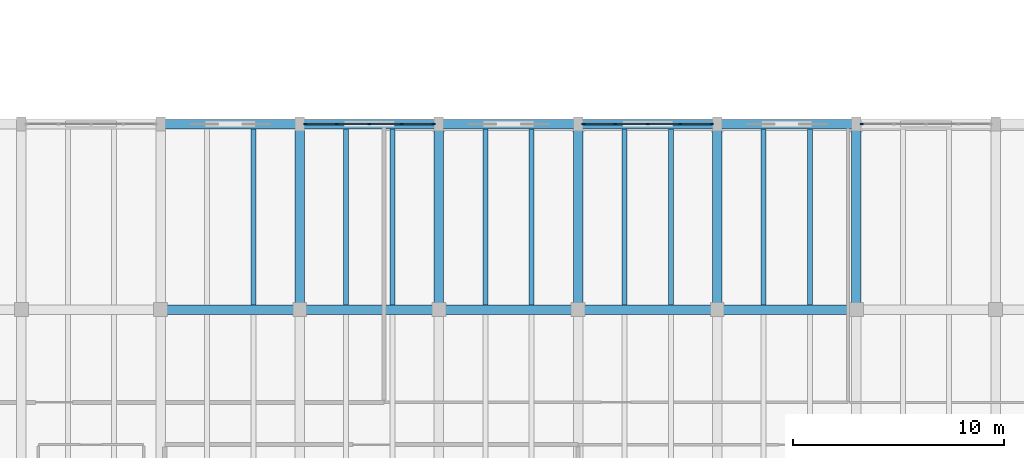
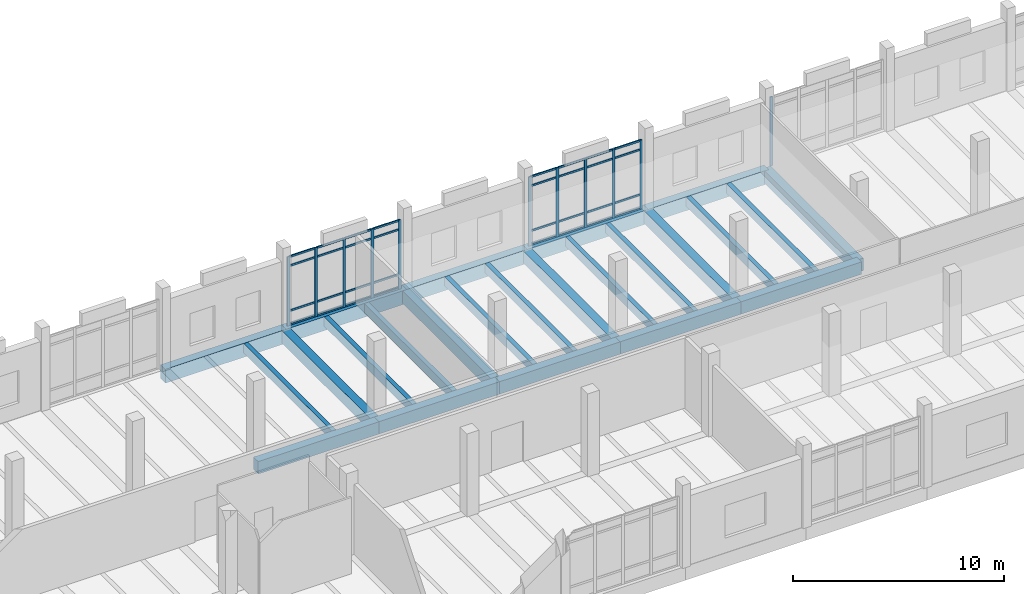
# One storey, part 25 of 76: 43 members, 24 beams, 3 elements without a shape of their own.
"""IFC4 building model written with IfcOpenShell, lengths in metres."""

from ifc_helpers import new_model, si_unit, direction, frame, origin, origin_2d, place, context, subcontext, project, spatial, rectangle, extrude, material, material_profile, profile_set, type_object, element, aggregate, save


model = new_model("IFC4")

# Units and contexts
model_context = context("Model", 3, precision=1e-05, world=origin(), true_north=direction((0.0, 1.0)))
body_context = subcontext(model_context, "Body", "Model", "MODEL_VIEW")
ifc_project = project(units=[si_unit("LENGTHUNIT", "METRE"), si_unit("AREAUNIT", "SQUARE_METRE"), si_unit("VOLUMEUNIT", "CUBIC_METRE"), si_unit("PLANEANGLEUNIT", "RADIAN"), si_unit("MASSUNIT", "GRAM", prefix="KILO")], contexts=[model_context])

# Site, building, storey
site_placement = place(None, origin())
site = spatial("IfcSite", under=ifc_project, at=site_placement, CompositionType="ELEMENT")
building_placement = place(site_placement, origin())
building = spatial("IfcBuilding", under=site, at=building_placement, Name="Dornvale Research Institute", CompositionType="ELEMENT")
storey_placement = place(building_placement, frame((0.0, 0.0, 15.0)))
storey = spatial("IfcBuildingStorey", under=building, at=storey_placement, Name="L03", CompositionType="ELEMENT", Elevation=15.0)

# Beams
ifc_material_1 = material(Name="Concrete f'c 45 MPa (C35/45)", Category="concrete")
ifc_material_profile_1 = material_profile(ifc_material_1, rectangle(XDim=0.449951171875, YDim=0.715087890625, at=origin_2d()), Name="RC 450x715")
ifc_profile_set_1 = profile_set([ifc_material_profile_1], Name="Concrete f'c 45 MPa (C35/45)")
beam_type_1 = type_object("IfcBeamType", Name="Beam_RC450x715_Lab", PredefinedType="BEAM", material=ifc_profile_set_1)
for number, where, z_axis, x_axis, name in (
    (1, (125.39990234375, 17.60009765625, -0.357421875), (1.0, 0.0, 0.0), (0.0, 1.0, 0.0), "L03 primary girder #1007"),
    (2, (132.0, 17.60009765625, -0.357421875), (1.0, 0.0, 0.0), (0.0, 1.0, 0.0), "L03 primary girder #1008"),
):
    element("IfcBeam", number, at=place(storey_placement, frame(where, z_axis=z_axis, x_axis=x_axis)), inside=storey, type_object=beam_type_1, Name=name, PredefinedType="BEAM", context=body_context, shape_type="SweptSolid", body=[
        extrude(rectangle(XDim=0.449951171875, YDim=0.715087890625, at=origin_2d()), origin(), (0.0, 0.0, 1.0), 6.60009765625),
    ])
beam_1_placement = place(storey_placement, frame((138.60009765625, 17.60009765625, -0.357421875), z_axis=(1.0, 0.0, 0.0), x_axis=(0.0, 1.0, 0.0)))
element("IfcBeam", 3, at=beam_1_placement, inside=storey, type_object=beam_type_1, Name="L03 primary girder #1009", PredefinedType="BEAM", context=body_context, shape_type="SweptSolid", body=[
    extrude(rectangle(XDim=0.449951171875, YDim=0.715087890625, at=origin_2d()), origin(), (0.0, 0.0, 1.0), 6.599853515625),
])
beam_2_placement = place(storey_placement, frame((145.199951171875, 17.60009765625, -0.357421875), z_axis=(1.0, 0.0, 0.0), x_axis=(0.0, 1.0, 0.0)))
element("IfcBeam", 4, at=beam_2_placement, inside=storey, type_object=beam_type_1, Name="L03 primary girder #1010", PredefinedType="BEAM", context=body_context, shape_type="SweptSolid", body=[
    extrude(rectangle(XDim=0.449951171875, YDim=0.715087890625, at=origin_2d()), origin(), (0.0, 0.0, 1.0), 6.60009765625),
])
beam_3_placement = place(storey_placement, frame((151.800048828125, 17.60009765625, -0.357421875), z_axis=(1.0, 0.0, 0.0), x_axis=(0.0, 1.0, 0.0)))
element("IfcBeam", 5, at=beam_3_placement, inside=storey, type_object=beam_type_1, Name="L03 primary girder #1011", PredefinedType="BEAM", context=body_context, shape_type="SweptSolid", body=[
    extrude(rectangle(XDim=0.449951171875, YDim=0.715087890625, at=origin_2d()), origin(), (0.0, 0.0, 1.0), 6.599853515625),
])
for number, where, z_axis, x_axis, name in (
    (6, (132.0, 17.60009765625, -0.357421875), (0.0, 1.0, 0.0), (-1.0, 0.0, 0.0), "L03 transverse girder #1043"),
    (7, (138.60009765625, 17.60009765625, -0.357421875), (0.0, 1.0, 0.0), (-1.0, 0.0, 0.0), "L03 transverse girder #1046"),
    (8, (145.199951171875, 17.60009765625, -0.357421875), (0.0, 1.0, 0.0), (-1.0, 0.0, 0.0), "L03 transverse girder #1049"),
    (9, (151.800048828125, 17.60009765625, -0.357421875), (0.0, 1.0, 0.0), (-1.0, 0.0, 0.0), "L03 transverse girder #1052"),
    (10, (158.39990234375, 17.60009765625, -0.357421875), (0.0, 1.0, 0.0), (-1.0, 0.0, 0.0), "L03 transverse girder #1055"),
):
    element("IfcBeam", number, at=place(storey_placement, frame(where, z_axis=z_axis, x_axis=x_axis)), inside=storey, type_object=beam_type_1, Name=name, PredefinedType="BEAM", context=body_context, shape_type="SweptSolid", body=[
        extrude(rectangle(XDim=0.449951171875, YDim=0.715087890625, at=origin_2d()), origin(), (0.0, 0.0, 1.0), 8.7998046875),
    ])
ifc_material_2 = material(Name="Concrete f'c 45 MPa (C35/45)", Category="concrete")
ifc_material_profile_2 = material_profile(ifc_material_2, rectangle(XDim=0.239990234375, YDim=0.534912109375, at=origin_2d()), Name="RC 240x535")
ifc_profile_set_2 = profile_set([ifc_material_profile_2], Name="Concrete f'c 45 MPa (C35/45)")
beam_type_2 = type_object("IfcBeamType", Name="Joist_RC240x535_Waffle", PredefinedType="JOIST", material=ifc_profile_set_2)
for number, where, z_axis, x_axis, name in (
    (11, (129.800048828125, 17.824951171875, -0.267578125), (0.0, 1.0, 0.0), (-1.0, 0.0, 0.0), "L03 laboratory waffle joist #514"),
    (12, (134.199951171875, 17.824951171875, -0.267578125), (0.0, 1.0, 0.0), (-1.0, 0.0, 0.0), "L03 laboratory waffle joist #519"),
    (13, (136.39990234375, 17.824951171875, -0.267578125), (0.0, 1.0, 0.0), (-1.0, 0.0, 0.0), "L03 laboratory waffle joist #520"),
    (14, (140.800048828125, 17.824951171875, -0.267578125), (0.0, 1.0, 0.0), (-1.0, 0.0, 0.0), "L03 laboratory waffle joist #525"),
    (15, (143.0, 17.824951171875, -0.267578125), (0.0, 1.0, 0.0), (-1.0, 0.0, 0.0), "L03 laboratory waffle joist #526"),
    (16, (147.39990234375, 17.824951171875, -0.267578125), (0.0, 1.0, 0.0), (-1.0, 0.0, 0.0), "L03 laboratory waffle joist #531"),
    (17, (149.60009765625, 17.824951171875, -0.267578125), (0.0, 1.0, 0.0), (-1.0, 0.0, 0.0), "L03 laboratory waffle joist #532"),
    (18, (154.0, 17.824951171875, -0.267578125), (0.0, 1.0, 0.0), (-1.0, 0.0, 0.0), "L03 laboratory waffle joist #537"),
    (19, (156.199951171875, 17.824951171875, -0.267578125), (0.0, 1.0, 0.0), (-1.0, 0.0, 0.0), "L03 laboratory waffle joist #538"),
):
    element("IfcBeam", number, at=place(storey_placement, frame(where, z_axis=z_axis, x_axis=x_axis)), inside=storey, type_object=beam_type_2, Name=name, PredefinedType="JOIST", context=body_context, shape_type="SweptSolid", body=[
        extrude(rectangle(XDim=0.239990234375, YDim=0.534912109375, at=origin_2d()), origin(), (0.0, 0.0, 1.0), 8.35009765625),
    ])

# Curtain wall, members
ifc_material_3 = material(Name="Low-E Argon Double Insulating Glazing Unit", Category="glass")
curtain_wall_type = type_object("IfcCurtainWallType", Name="UnitisedCurtainWall_V3_6150x4000", PredefinedType="USERDEFINED", material=ifc_material_3)
curtain_wall_1_placement = place(storey_placement, origin())
curtain_wall_1 = element("IfcCurtainWall", 20, at=curtain_wall_1_placement, inside=storey, type_object=curtain_wall_type, Name="L03 V3 unitised curtain wall CW-06 #56", ObjectType="UNITISED CURTAIN WALL", PredefinedType="USERDEFINED")
ifc_material_4 = material(Name="Anodized Aluminum AA 6063-T6 Thermally Broken Frame", Category="aluminium")
ifc_material_profile_3 = material_profile(ifc_material_4, rectangle(XDim=0.06494140625, YDim=0.14990234375, at=origin_2d()), Name="ALU MULLION 65x150")
ifc_profile_set_3 = profile_set([ifc_material_profile_3], Name="Anodized Aluminum AA 6063-T6 Thermally Broken Frame")
member_type_1 = type_object("IfcMemberType", Name="Mullion_CW_65x150", PredefinedType="MULLION", material=ifc_profile_set_3)
member_1_placement = place(storey_placement, frame((132.257568359375, 26.39990234375, 0.0), z_axis=(0.0, 0.0, 1.0), x_axis=(0.0, 1.0, 0.0)))
member_1 = element("IfcMember", 21, at=member_1_placement, type_object=member_type_1, Name="CW-06 mullion 1", PredefinedType="MULLION", context=body_context, shape_type="SweptSolid", body=[
    extrude(rectangle(XDim=0.06494140625, YDim=0.14990234375, at=origin_2d()), origin(), (0.0, 0.0, 1.0), 4.0),
])
member_2_placement = place(storey_placement, frame((133.762451171875, 26.39990234375, 0.0), z_axis=(0.0, 0.0, 1.0), x_axis=(0.0, 1.0, 0.0)))
member_2 = element("IfcMember", 22, at=member_2_placement, type_object=member_type_1, Name="CW-06 mullion 2", PredefinedType="MULLION", context=body_context, shape_type="SweptSolid", body=[
    extrude(rectangle(XDim=0.06494140625, YDim=0.14990234375, at=origin_2d()), origin(), (0.0, 0.0, 1.0), 4.0),
])
member_3_placement = place(storey_placement, frame((135.300048828125, 26.39990234375, 0.0), z_axis=(0.0, 0.0, 1.0), x_axis=(0.0, 1.0, 0.0)))
member_3 = element("IfcMember", 23, at=member_3_placement, type_object=member_type_1, Name="CW-06 mullion 3", PredefinedType="MULLION", context=body_context, shape_type="SweptSolid", body=[
    extrude(rectangle(XDim=0.06494140625, YDim=0.14990234375, at=origin_2d()), origin(), (0.0, 0.0, 1.0), 4.0),
])
member_4_placement = place(storey_placement, frame((136.83740234375, 26.39990234375, 0.0), z_axis=(0.0, 0.0, 1.0), x_axis=(0.0, 1.0, 0.0)))
member_4 = element("IfcMember", 24, at=member_4_placement, type_object=member_type_1, Name="CW-06 mullion 4", PredefinedType="MULLION", context=body_context, shape_type="SweptSolid", body=[
    extrude(rectangle(XDim=0.06494140625, YDim=0.14990234375, at=origin_2d()), origin(), (0.0, 0.0, 1.0), 4.0),
])
member_5_placement = place(storey_placement, frame((138.342529296875, 26.39990234375, 0.0), z_axis=(0.0, 0.0, 1.0), x_axis=(0.0, 1.0, 0.0)))
member_5 = element("IfcMember", 25, at=member_5_placement, type_object=member_type_1, Name="CW-06 mullion 5", PredefinedType="MULLION", context=body_context, shape_type="SweptSolid", body=[
    extrude(rectangle(XDim=0.06494140625, YDim=0.14990234375, at=origin_2d()), origin(), (0.0, 0.0, 1.0), 4.0),
])

curtain_wall_2_placement = place(storey_placement, origin())
curtain_wall_2 = element("IfcCurtainWall", 26, at=curtain_wall_2_placement, inside=storey, type_object=curtain_wall_type, Name="L03 V3 unitised curtain wall CW-06 #57", ObjectType="UNITISED CURTAIN WALL", PredefinedType="USERDEFINED")
member_6_placement = place(storey_placement, frame((145.45751953125, 26.39990234375, 0.0), z_axis=(0.0, 0.0, 1.0), x_axis=(0.0, 1.0, 0.0)))
member_6 = element("IfcMember", 27, at=member_6_placement, type_object=member_type_1, Name="CW-06 mullion 1", PredefinedType="MULLION", context=body_context, shape_type="SweptSolid", body=[
    extrude(rectangle(XDim=0.06494140625, YDim=0.14990234375, at=origin_2d()), origin(), (0.0, 0.0, 1.0), 4.0),
])
member_7_placement = place(storey_placement, frame((146.96240234375, 26.39990234375, 0.0), z_axis=(0.0, 0.0, 1.0), x_axis=(0.0, 1.0, 0.0)))
member_7 = element("IfcMember", 28, at=member_7_placement, type_object=member_type_1, Name="CW-06 mullion 2", PredefinedType="MULLION", context=body_context, shape_type="SweptSolid", body=[
    extrude(rectangle(XDim=0.06494140625, YDim=0.14990234375, at=origin_2d()), origin(), (0.0, 0.0, 1.0), 4.0),
])
member_8_placement = place(storey_placement, frame((148.5, 26.39990234375, 0.0), z_axis=(0.0, 0.0, 1.0), x_axis=(0.0, 1.0, 0.0)))
member_8 = element("IfcMember", 29, at=member_8_placement, type_object=member_type_1, Name="CW-06 mullion 3", PredefinedType="MULLION", context=body_context, shape_type="SweptSolid", body=[
    extrude(rectangle(XDim=0.06494140625, YDim=0.14990234375, at=origin_2d()), origin(), (0.0, 0.0, 1.0), 4.0),
])
member_9_placement = place(storey_placement, frame((150.03759765625, 26.39990234375, 0.0), z_axis=(0.0, 0.0, 1.0), x_axis=(0.0, 1.0, 0.0)))
member_9 = element("IfcMember", 30, at=member_9_placement, type_object=member_type_1, Name="CW-06 mullion 4", PredefinedType="MULLION", context=body_context, shape_type="SweptSolid", body=[
    extrude(rectangle(XDim=0.06494140625, YDim=0.14990234375, at=origin_2d()), origin(), (0.0, 0.0, 1.0), 4.0),
])
member_10_placement = place(storey_placement, frame((151.54248046875, 26.39990234375, 0.0), z_axis=(0.0, 0.0, 1.0), x_axis=(0.0, 1.0, 0.0)))
member_10 = element("IfcMember", 31, at=member_10_placement, type_object=member_type_1, Name="CW-06 mullion 5", PredefinedType="MULLION", context=body_context, shape_type="SweptSolid", body=[
    extrude(rectangle(XDim=0.06494140625, YDim=0.14990234375, at=origin_2d()), origin(), (0.0, 0.0, 1.0), 4.0),
])

# Curtain wall, member
curtain_wall_3_placement = place(storey_placement, origin())
curtain_wall_3 = element("IfcCurtainWall", 32, at=curtain_wall_3_placement, inside=storey, type_object=curtain_wall_type, Name="L03 V3 unitised curtain wall CW-06 #58", ObjectType="UNITISED CURTAIN WALL", PredefinedType="USERDEFINED")
member_11_placement = place(storey_placement, frame((158.657470703125, 26.39990234375, 0.0), z_axis=(0.0, 0.0, 1.0), x_axis=(0.0, 1.0, 0.0)))
member_11 = element("IfcMember", 33, at=member_11_placement, type_object=member_type_1, Name="CW-06 mullion 1", PredefinedType="MULLION", context=body_context, shape_type="SweptSolid", body=[
    extrude(rectangle(XDim=0.06494140625, YDim=0.14990234375, at=origin_2d()), origin(), (0.0, 0.0, 1.0), 4.0),
])
aggregate(curtain_wall_3, [member_11])

# Beams
ifc_material_5 = material(Name="Concrete f'c 45 MPa (C35/45)", Category="concrete")
ifc_material_profile_4 = material_profile(ifc_material_5, rectangle(XDim=0.449951171875, YDim=0.800048828125, at=origin_2d()), Name="RC 450x800")
ifc_profile_set_4 = profile_set([ifc_material_profile_4], Name="Concrete f'c 45 MPa (C35/45)")
beam_type_3 = type_object("IfcBeamType", Name="Spandrel_RC450x800_Ext", PredefinedType="SPANDREL", material=ifc_profile_set_4)
for number, where, z_axis, x_axis, name in (
    (34, (125.39990234375, 26.39990234375, -0.39990234375), (1.0, 0.0, 0.0), (0.0, 1.0, 0.0), "L03 perimeter spandrel #1019"),
    (35, (132.0, 26.39990234375, -0.39990234375), (1.0, 0.0, 0.0), (0.0, 1.0, 0.0), "L03 perimeter spandrel #1020"),
):
    element("IfcBeam", number, at=place(storey_placement, frame(where, z_axis=z_axis, x_axis=x_axis)), inside=storey, type_object=beam_type_3, Name=name, PredefinedType="SPANDREL", context=body_context, shape_type="SweptSolid", body=[
        extrude(rectangle(XDim=0.449951171875, YDim=0.800048828125, at=origin_2d()), origin(), (0.0, 0.0, 1.0), 6.60009765625),
    ])
beam_4_placement = place(storey_placement, frame((138.60009765625, 26.39990234375, -0.39990234375), z_axis=(1.0, 0.0, 0.0), x_axis=(0.0, 1.0, 0.0)))
element("IfcBeam", 36, at=beam_4_placement, inside=storey, type_object=beam_type_3, Name="L03 perimeter spandrel #1021", PredefinedType="SPANDREL", context=body_context, shape_type="SweptSolid", body=[
    extrude(rectangle(XDim=0.449951171875, YDim=0.800048828125, at=origin_2d()), origin(), (0.0, 0.0, 1.0), 6.599853515625),
])
beam_5_placement = place(storey_placement, frame((145.199951171875, 26.39990234375, -0.39990234375), z_axis=(1.0, 0.0, 0.0), x_axis=(0.0, 1.0, 0.0)))
element("IfcBeam", 37, at=beam_5_placement, inside=storey, type_object=beam_type_3, Name="L03 perimeter spandrel #1022", PredefinedType="SPANDREL", context=body_context, shape_type="SweptSolid", body=[
    extrude(rectangle(XDim=0.449951171875, YDim=0.800048828125, at=origin_2d()), origin(), (0.0, 0.0, 1.0), 6.60009765625),
])
beam_6_placement = place(storey_placement, frame((151.800048828125, 26.39990234375, -0.39990234375), z_axis=(1.0, 0.0, 0.0), x_axis=(0.0, 1.0, 0.0)))
element("IfcBeam", 38, at=beam_6_placement, inside=storey, type_object=beam_type_3, Name="L03 perimeter spandrel #1023", PredefinedType="SPANDREL", context=body_context, shape_type="SweptSolid", body=[
    extrude(rectangle(XDim=0.449951171875, YDim=0.800048828125, at=origin_2d()), origin(), (0.0, 0.0, 1.0), 6.599853515625),
])

# Member
ifc_material_6 = material(Name="Anodized Aluminum AA 6063-T6 Thermally Broken Frame", Category="aluminium")
ifc_material_profile_5 = material_profile(ifc_material_6, rectangle(XDim=0.06494140625, YDim=0.110107421875, at=origin_2d()), Name="ALU TRANSOM 65x110")
ifc_profile_set_5 = profile_set([ifc_material_profile_5], Name="Anodized Aluminum AA 6063-T6 Thermally Broken Frame")
member_type_2 = type_object("IfcMemberType", Name="Transom_CW_65x110", PredefinedType="USERDEFINED", material=ifc_profile_set_5)
member_12_placement = place(storey_placement, frame((132.2900390625, 26.39990234375, 0.032470703125), z_axis=(1.0, 0.0, 0.0), x_axis=(0.0, 1.0, 0.0)))
member_12 = element("IfcMember", 39, at=member_12_placement, type_object=member_type_2, Name="CW-06 transom 1.1", ObjectType="TRANSOM", PredefinedType="USERDEFINED", context=body_context, shape_type="SweptSolid", body=[
    extrude(rectangle(XDim=0.06494140625, YDim=0.110107421875, at=origin_2d()), origin(), (0.0, 0.0, 1.0), 1.43994140625),
])

member_13_placement = place(storey_placement, frame((132.2900390625, 26.39990234375, 0.85009765625), z_axis=(1.0, 0.0, 0.0), x_axis=(0.0, 1.0, 0.0)))
member_13 = element("IfcMember", 40, at=member_13_placement, type_object=member_type_2, Name="CW-06 transom 1.2", ObjectType="TRANSOM", PredefinedType="USERDEFINED", context=body_context, shape_type="SweptSolid", body=[
    extrude(rectangle(XDim=0.06494140625, YDim=0.110107421875, at=origin_2d()), origin(), (0.0, 0.0, 1.0), 1.43994140625),
])

member_14_placement = place(storey_placement, frame((132.2900390625, 26.39990234375, 3.449951171875), z_axis=(1.0, 0.0, 0.0), x_axis=(0.0, 1.0, 0.0)))
member_14 = element("IfcMember", 41, at=member_14_placement, type_object=member_type_2, Name="CW-06 transom 1.3", ObjectType="TRANSOM", PredefinedType="USERDEFINED", context=body_context, shape_type="SweptSolid", body=[
    extrude(rectangle(XDim=0.06494140625, YDim=0.110107421875, at=origin_2d()), origin(), (0.0, 0.0, 1.0), 1.43994140625),
])

member_15_placement = place(storey_placement, frame((132.2900390625, 26.39990234375, 3.967529296875), z_axis=(1.0, 0.0, 0.0), x_axis=(0.0, 1.0, 0.0)))
member_15 = element("IfcMember", 42, at=member_15_placement, type_object=member_type_2, Name="CW-06 transom 1.4", ObjectType="TRANSOM", PredefinedType="USERDEFINED", context=body_context, shape_type="SweptSolid", body=[
    extrude(rectangle(XDim=0.06494140625, YDim=0.110107421875, at=origin_2d()), origin(), (0.0, 0.0, 1.0), 1.43994140625),
])

member_16_placement = place(storey_placement, frame((133.794921875, 26.39990234375, 0.032470703125), z_axis=(1.0, 0.0, 0.0), x_axis=(0.0, 1.0, 0.0)))
member_16 = element("IfcMember", 43, at=member_16_placement, type_object=member_type_2, Name="CW-06 transom 2.1", ObjectType="TRANSOM", PredefinedType="USERDEFINED", context=body_context, shape_type="SweptSolid", body=[
    extrude(rectangle(XDim=0.06494140625, YDim=0.110107421875, at=origin_2d()), origin(), (0.0, 0.0, 1.0), 1.47265625),
])

member_17_placement = place(storey_placement, frame((133.794921875, 26.39990234375, 0.85009765625), z_axis=(1.0, 0.0, 0.0), x_axis=(0.0, 1.0, 0.0)))
member_17 = element("IfcMember", 44, at=member_17_placement, type_object=member_type_2, Name="CW-06 transom 2.2", ObjectType="TRANSOM", PredefinedType="USERDEFINED", context=body_context, shape_type="SweptSolid", body=[
    extrude(rectangle(XDim=0.06494140625, YDim=0.110107421875, at=origin_2d()), origin(), (0.0, 0.0, 1.0), 1.47265625),
])

member_18_placement = place(storey_placement, frame((133.794921875, 26.39990234375, 3.449951171875), z_axis=(1.0, 0.0, 0.0), x_axis=(0.0, 1.0, 0.0)))
member_18 = element("IfcMember", 45, at=member_18_placement, type_object=member_type_2, Name="CW-06 transom 2.3", ObjectType="TRANSOM", PredefinedType="USERDEFINED", context=body_context, shape_type="SweptSolid", body=[
    extrude(rectangle(XDim=0.06494140625, YDim=0.110107421875, at=origin_2d()), origin(), (0.0, 0.0, 1.0), 1.47265625),
])

member_19_placement = place(storey_placement, frame((133.794921875, 26.39990234375, 3.967529296875), z_axis=(1.0, 0.0, 0.0), x_axis=(0.0, 1.0, 0.0)))
member_19 = element("IfcMember", 46, at=member_19_placement, type_object=member_type_2, Name="CW-06 transom 2.4", ObjectType="TRANSOM", PredefinedType="USERDEFINED", context=body_context, shape_type="SweptSolid", body=[
    extrude(rectangle(XDim=0.06494140625, YDim=0.110107421875, at=origin_2d()), origin(), (0.0, 0.0, 1.0), 1.47265625),
])

member_20_placement = place(storey_placement, frame((135.33251953125, 26.39990234375, 0.032470703125), z_axis=(1.0, 0.0, 0.0), x_axis=(0.0, 1.0, 0.0)))
member_20 = element("IfcMember", 47, at=member_20_placement, type_object=member_type_2, Name="CW-06 transom 3.1", ObjectType="TRANSOM", PredefinedType="USERDEFINED", context=body_context, shape_type="SweptSolid", body=[
    extrude(rectangle(XDim=0.06494140625, YDim=0.110107421875, at=origin_2d()), origin(), (0.0, 0.0, 1.0), 1.472412109375),
])

member_21_placement = place(storey_placement, frame((135.33251953125, 26.39990234375, 0.85009765625), z_axis=(1.0, 0.0, 0.0), x_axis=(0.0, 1.0, 0.0)))
member_21 = element("IfcMember", 48, at=member_21_placement, type_object=member_type_2, Name="CW-06 transom 3.2", ObjectType="TRANSOM", PredefinedType="USERDEFINED", context=body_context, shape_type="SweptSolid", body=[
    extrude(rectangle(XDim=0.06494140625, YDim=0.110107421875, at=origin_2d()), origin(), (0.0, 0.0, 1.0), 1.472412109375),
])

member_22_placement = place(storey_placement, frame((135.33251953125, 26.39990234375, 3.449951171875), z_axis=(1.0, 0.0, 0.0), x_axis=(0.0, 1.0, 0.0)))
member_22 = element("IfcMember", 49, at=member_22_placement, type_object=member_type_2, Name="CW-06 transom 3.3", ObjectType="TRANSOM", PredefinedType="USERDEFINED", context=body_context, shape_type="SweptSolid", body=[
    extrude(rectangle(XDim=0.06494140625, YDim=0.110107421875, at=origin_2d()), origin(), (0.0, 0.0, 1.0), 1.472412109375),
])

member_23_placement = place(storey_placement, frame((135.33251953125, 26.39990234375, 3.967529296875), z_axis=(1.0, 0.0, 0.0), x_axis=(0.0, 1.0, 0.0)))
member_23 = element("IfcMember", 50, at=member_23_placement, type_object=member_type_2, Name="CW-06 transom 3.4", ObjectType="TRANSOM", PredefinedType="USERDEFINED", context=body_context, shape_type="SweptSolid", body=[
    extrude(rectangle(XDim=0.06494140625, YDim=0.110107421875, at=origin_2d()), origin(), (0.0, 0.0, 1.0), 1.472412109375),
])

member_24_placement = place(storey_placement, frame((136.8701171875, 26.39990234375, 0.032470703125), z_axis=(1.0, 0.0, 0.0), x_axis=(0.0, 1.0, 0.0)))
member_24 = element("IfcMember", 51, at=member_24_placement, type_object=member_type_2, Name="CW-06 transom 4.1", ObjectType="TRANSOM", PredefinedType="USERDEFINED", context=body_context, shape_type="SweptSolid", body=[
    extrude(rectangle(XDim=0.06494140625, YDim=0.110107421875, at=origin_2d()), origin(), (0.0, 0.0, 1.0), 1.43994140625),
])

member_25_placement = place(storey_placement, frame((136.8701171875, 26.39990234375, 0.85009765625), z_axis=(1.0, 0.0, 0.0), x_axis=(0.0, 1.0, 0.0)))
member_25 = element("IfcMember", 52, at=member_25_placement, type_object=member_type_2, Name="CW-06 transom 4.2", ObjectType="TRANSOM", PredefinedType="USERDEFINED", context=body_context, shape_type="SweptSolid", body=[
    extrude(rectangle(XDim=0.06494140625, YDim=0.110107421875, at=origin_2d()), origin(), (0.0, 0.0, 1.0), 1.43994140625),
])

member_26_placement = place(storey_placement, frame((136.8701171875, 26.39990234375, 3.449951171875), z_axis=(1.0, 0.0, 0.0), x_axis=(0.0, 1.0, 0.0)))
member_26 = element("IfcMember", 53, at=member_26_placement, type_object=member_type_2, Name="CW-06 transom 4.3", ObjectType="TRANSOM", PredefinedType="USERDEFINED", context=body_context, shape_type="SweptSolid", body=[
    extrude(rectangle(XDim=0.06494140625, YDim=0.110107421875, at=origin_2d()), origin(), (0.0, 0.0, 1.0), 1.43994140625),
])

member_27_placement = place(storey_placement, frame((136.8701171875, 26.39990234375, 3.967529296875), z_axis=(1.0, 0.0, 0.0), x_axis=(0.0, 1.0, 0.0)))
member_27 = element("IfcMember", 54, at=member_27_placement, type_object=member_type_2, Name="CW-06 transom 4.4", ObjectType="TRANSOM", PredefinedType="USERDEFINED", context=body_context, shape_type="SweptSolid", body=[
    extrude(rectangle(XDim=0.06494140625, YDim=0.110107421875, at=origin_2d()), origin(), (0.0, 0.0, 1.0), 1.43994140625),
])

aggregate(curtain_wall_1, [member_1, member_2, member_3, member_4, member_5, member_12, member_13, member_14, member_15, member_16, member_17, member_18, member_19, member_20, member_21, member_22, member_23, member_24, member_25, member_26, member_27])

member_28_placement = place(storey_placement, frame((145.489990234375, 26.39990234375, 0.032470703125), z_axis=(1.0, 0.0, 0.0), x_axis=(0.0, 1.0, 0.0)))
member_28 = element("IfcMember", 55, at=member_28_placement, type_object=member_type_2, Name="CW-06 transom 1.1", ObjectType="TRANSOM", PredefinedType="USERDEFINED", context=body_context, shape_type="SweptSolid", body=[
    extrude(rectangle(XDim=0.06494140625, YDim=0.110107421875, at=origin_2d()), origin(), (0.0, 0.0, 1.0), 1.43994140625),
])

member_29_placement = place(storey_placement, frame((145.489990234375, 26.39990234375, 0.85009765625), z_axis=(1.0, 0.0, 0.0), x_axis=(0.0, 1.0, 0.0)))
member_29 = element("IfcMember", 56, at=member_29_placement, type_object=member_type_2, Name="CW-06 transom 1.2", ObjectType="TRANSOM", PredefinedType="USERDEFINED", context=body_context, shape_type="SweptSolid", body=[
    extrude(rectangle(XDim=0.06494140625, YDim=0.110107421875, at=origin_2d()), origin(), (0.0, 0.0, 1.0), 1.43994140625),
])

member_30_placement = place(storey_placement, frame((145.489990234375, 26.39990234375, 3.449951171875), z_axis=(1.0, 0.0, 0.0), x_axis=(0.0, 1.0, 0.0)))
member_30 = element("IfcMember", 57, at=member_30_placement, type_object=member_type_2, Name="CW-06 transom 1.3", ObjectType="TRANSOM", PredefinedType="USERDEFINED", context=body_context, shape_type="SweptSolid", body=[
    extrude(rectangle(XDim=0.06494140625, YDim=0.110107421875, at=origin_2d()), origin(), (0.0, 0.0, 1.0), 1.43994140625),
])

member_31_placement = place(storey_placement, frame((145.489990234375, 26.39990234375, 3.967529296875), z_axis=(1.0, 0.0, 0.0), x_axis=(0.0, 1.0, 0.0)))
member_31 = element("IfcMember", 58, at=member_31_placement, type_object=member_type_2, Name="CW-06 transom 1.4", ObjectType="TRANSOM", PredefinedType="USERDEFINED", context=body_context, shape_type="SweptSolid", body=[
    extrude(rectangle(XDim=0.06494140625, YDim=0.110107421875, at=origin_2d()), origin(), (0.0, 0.0, 1.0), 1.43994140625),
])

member_32_placement = place(storey_placement, frame((146.9951171875, 26.39990234375, 0.032470703125), z_axis=(1.0, 0.0, 0.0), x_axis=(0.0, 1.0, 0.0)))
member_32 = element("IfcMember", 59, at=member_32_placement, type_object=member_type_2, Name="CW-06 transom 2.1", ObjectType="TRANSOM", PredefinedType="USERDEFINED", context=body_context, shape_type="SweptSolid", body=[
    extrude(rectangle(XDim=0.06494140625, YDim=0.110107421875, at=origin_2d()), origin(), (0.0, 0.0, 1.0), 1.472412109375),
])

member_33_placement = place(storey_placement, frame((146.9951171875, 26.39990234375, 0.85009765625), z_axis=(1.0, 0.0, 0.0), x_axis=(0.0, 1.0, 0.0)))
member_33 = element("IfcMember", 60, at=member_33_placement, type_object=member_type_2, Name="CW-06 transom 2.2", ObjectType="TRANSOM", PredefinedType="USERDEFINED", context=body_context, shape_type="SweptSolid", body=[
    extrude(rectangle(XDim=0.06494140625, YDim=0.110107421875, at=origin_2d()), origin(), (0.0, 0.0, 1.0), 1.472412109375),
])

member_34_placement = place(storey_placement, frame((146.9951171875, 26.39990234375, 3.449951171875), z_axis=(1.0, 0.0, 0.0), x_axis=(0.0, 1.0, 0.0)))
member_34 = element("IfcMember", 61, at=member_34_placement, type_object=member_type_2, Name="CW-06 transom 2.3", ObjectType="TRANSOM", PredefinedType="USERDEFINED", context=body_context, shape_type="SweptSolid", body=[
    extrude(rectangle(XDim=0.06494140625, YDim=0.110107421875, at=origin_2d()), origin(), (0.0, 0.0, 1.0), 1.472412109375),
])

member_35_placement = place(storey_placement, frame((146.9951171875, 26.39990234375, 3.967529296875), z_axis=(1.0, 0.0, 0.0), x_axis=(0.0, 1.0, 0.0)))
member_35 = element("IfcMember", 62, at=member_35_placement, type_object=member_type_2, Name="CW-06 transom 2.4", ObjectType="TRANSOM", PredefinedType="USERDEFINED", context=body_context, shape_type="SweptSolid", body=[
    extrude(rectangle(XDim=0.06494140625, YDim=0.110107421875, at=origin_2d()), origin(), (0.0, 0.0, 1.0), 1.472412109375),
])

member_36_placement = place(storey_placement, frame((148.532470703125, 26.39990234375, 0.032470703125), z_axis=(1.0, 0.0, 0.0), x_axis=(0.0, 1.0, 0.0)))
member_36 = element("IfcMember", 63, at=member_36_placement, type_object=member_type_2, Name="CW-06 transom 3.1", ObjectType="TRANSOM", PredefinedType="USERDEFINED", context=body_context, shape_type="SweptSolid", body=[
    extrude(rectangle(XDim=0.06494140625, YDim=0.110107421875, at=origin_2d()), origin(), (0.0, 0.0, 1.0), 1.472412109375),
])

member_37_placement = place(storey_placement, frame((148.532470703125, 26.39990234375, 0.85009765625), z_axis=(1.0, 0.0, 0.0), x_axis=(0.0, 1.0, 0.0)))
member_37 = element("IfcMember", 64, at=member_37_placement, type_object=member_type_2, Name="CW-06 transom 3.2", ObjectType="TRANSOM", PredefinedType="USERDEFINED", context=body_context, shape_type="SweptSolid", body=[
    extrude(rectangle(XDim=0.06494140625, YDim=0.110107421875, at=origin_2d()), origin(), (0.0, 0.0, 1.0), 1.472412109375),
])

member_38_placement = place(storey_placement, frame((148.532470703125, 26.39990234375, 3.449951171875), z_axis=(1.0, 0.0, 0.0), x_axis=(0.0, 1.0, 0.0)))
member_38 = element("IfcMember", 65, at=member_38_placement, type_object=member_type_2, Name="CW-06 transom 3.3", ObjectType="TRANSOM", PredefinedType="USERDEFINED", context=body_context, shape_type="SweptSolid", body=[
    extrude(rectangle(XDim=0.06494140625, YDim=0.110107421875, at=origin_2d()), origin(), (0.0, 0.0, 1.0), 1.472412109375),
])

member_39_placement = place(storey_placement, frame((148.532470703125, 26.39990234375, 3.967529296875), z_axis=(1.0, 0.0, 0.0), x_axis=(0.0, 1.0, 0.0)))
member_39 = element("IfcMember", 66, at=member_39_placement, type_object=member_type_2, Name="CW-06 transom 3.4", ObjectType="TRANSOM", PredefinedType="USERDEFINED", context=body_context, shape_type="SweptSolid", body=[
    extrude(rectangle(XDim=0.06494140625, YDim=0.110107421875, at=origin_2d()), origin(), (0.0, 0.0, 1.0), 1.472412109375),
])

member_40_placement = place(storey_placement, frame((150.070068359375, 26.39990234375, 0.032470703125), z_axis=(1.0, 0.0, 0.0), x_axis=(0.0, 1.0, 0.0)))
member_40 = element("IfcMember", 67, at=member_40_placement, type_object=member_type_2, Name="CW-06 transom 4.1", ObjectType="TRANSOM", PredefinedType="USERDEFINED", context=body_context, shape_type="SweptSolid", body=[
    extrude(rectangle(XDim=0.06494140625, YDim=0.110107421875, at=origin_2d()), origin(), (0.0, 0.0, 1.0), 1.43994140625),
])

member_41_placement = place(storey_placement, frame((150.070068359375, 26.39990234375, 0.85009765625), z_axis=(1.0, 0.0, 0.0), x_axis=(0.0, 1.0, 0.0)))
member_41 = element("IfcMember", 68, at=member_41_placement, type_object=member_type_2, Name="CW-06 transom 4.2", ObjectType="TRANSOM", PredefinedType="USERDEFINED", context=body_context, shape_type="SweptSolid", body=[
    extrude(rectangle(XDim=0.06494140625, YDim=0.110107421875, at=origin_2d()), origin(), (0.0, 0.0, 1.0), 1.43994140625),
])

member_42_placement = place(storey_placement, frame((150.070068359375, 26.39990234375, 3.449951171875), z_axis=(1.0, 0.0, 0.0), x_axis=(0.0, 1.0, 0.0)))
member_42 = element("IfcMember", 69, at=member_42_placement, type_object=member_type_2, Name="CW-06 transom 4.3", ObjectType="TRANSOM", PredefinedType="USERDEFINED", context=body_context, shape_type="SweptSolid", body=[
    extrude(rectangle(XDim=0.06494140625, YDim=0.110107421875, at=origin_2d()), origin(), (0.0, 0.0, 1.0), 1.43994140625),
])

member_43_placement = place(storey_placement, frame((150.070068359375, 26.39990234375, 3.967529296875), z_axis=(1.0, 0.0, 0.0), x_axis=(0.0, 1.0, 0.0)))
member_43 = element("IfcMember", 70, at=member_43_placement, type_object=member_type_2, Name="CW-06 transom 4.4", ObjectType="TRANSOM", PredefinedType="USERDEFINED", context=body_context, shape_type="SweptSolid", body=[
    extrude(rectangle(XDim=0.06494140625, YDim=0.110107421875, at=origin_2d()), origin(), (0.0, 0.0, 1.0), 1.43994140625),
])

aggregate(curtain_wall_2, [member_6, member_7, member_8, member_9, member_10, member_28, member_29, member_30, member_31, member_32, member_33, member_34, member_35, member_36, member_37, member_38, member_39, member_40, member_41, member_42, member_43])

save(model, "model.ifc")
